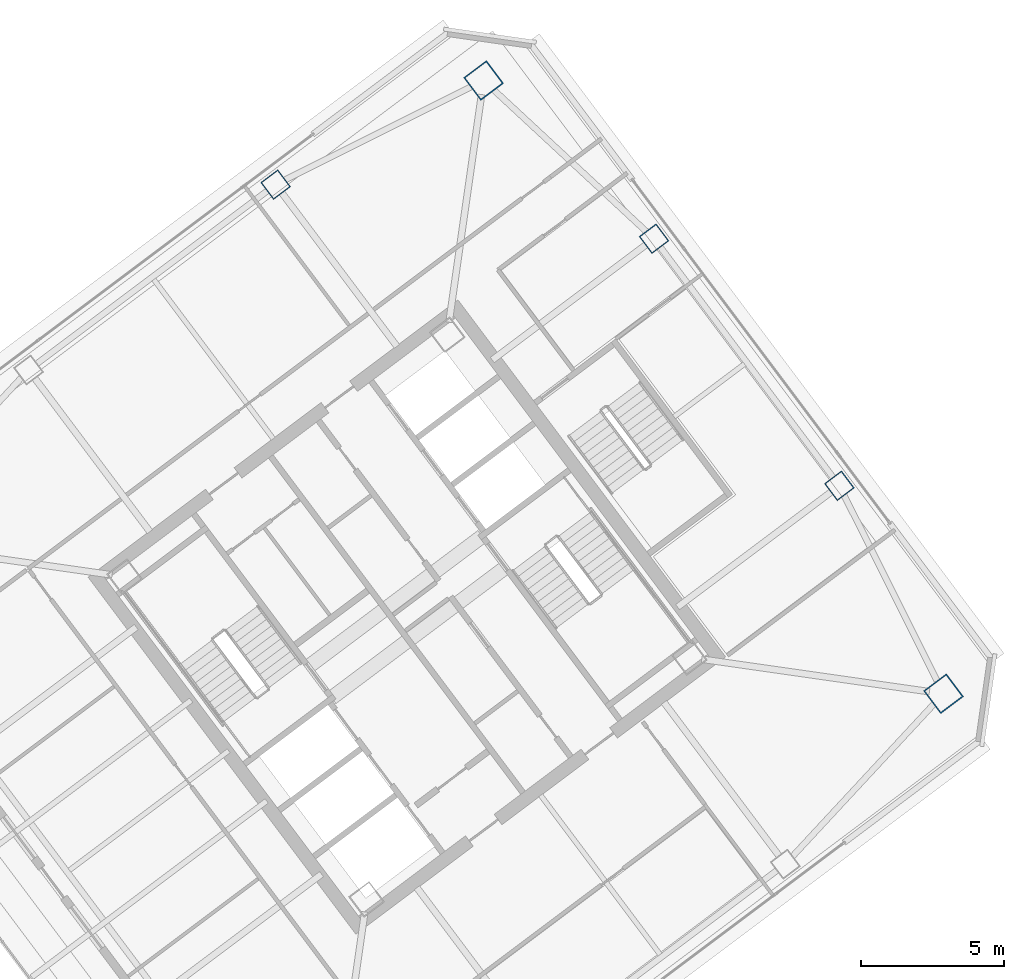
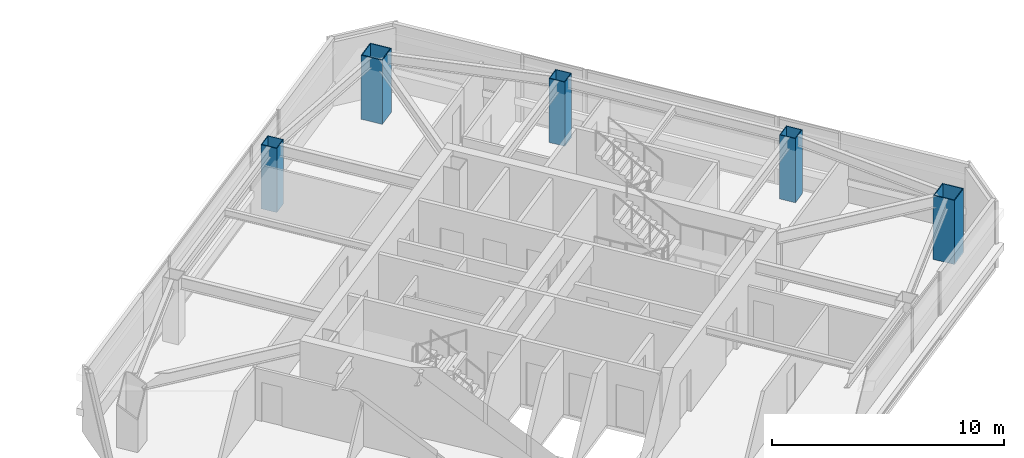
# One storey, part 2 of 39: 5 columns.
"""IFC4 building model written with IfcOpenShell, lengths in metres."""

from ifc_helpers import new_model, si_unit, direction, frame, origin, origin_2d, place, context, subcontext, project, spatial, hollow_rectangle, extrude, material, material_profile, profile_set, type_object, element, save


model = new_model("IFC4")

# Units and contexts
model_context = context("Model", 3, precision=1e-05, world=origin(), true_north=direction((0.0, 1.0)))
body_context = subcontext(model_context, "Body", "Model", "MODEL_VIEW")
ifc_project = project(units=[si_unit("LENGTHUNIT", "METRE"), si_unit("AREAUNIT", "SQUARE_METRE"), si_unit("VOLUMEUNIT", "CUBIC_METRE"), si_unit("PLANEANGLEUNIT", "RADIAN"), si_unit("MASSUNIT", "GRAM", prefix="KILO")], contexts=[model_context])

# Site, building, storey
site_placement = place(None, origin())
site = spatial("IfcSite", under=ifc_project, at=site_placement, CompositionType="ELEMENT")
building_placement = place(site_placement, origin())
building = spatial("IfcBuilding", under=site, at=building_placement, Name="Tashvorn Skyway Center", CompositionType="ELEMENT")
storey_placement = place(building_placement, frame((0.0, 0.0, 225.5)))
storey = spatial("IfcBuildingStorey", under=building, at=storey_placement, Name="L61", CompositionType="ELEMENT", Elevation=225.5)

# Columns
ifc_material = material(Name="Steel ASTM A572 Grade 50", Category="steel")
ifc_material_profile_1 = material_profile(ifc_material, hollow_rectangle(XDim=1.0, YDim=1.0, WallThickness=0.0400390625, at=origin_2d()), Name="BOX1000x1000x40")
ifc_profile_set_1 = profile_set([ifc_material_profile_1], Name="Steel ASTM A572 Grade 50")
column_type_1 = type_object("IfcColumnType", Name="COL-BOX1000x1000x40", PredefinedType="COLUMN", material=ifc_profile_set_1)
for number, where, z_axis, x_axis, name in (
    (1, (132.760009765625, 29.320068359375, 0.0), (0.0, 0.0, 1.0), (0.799999996291, 0.600000004945, 0.0), "Tower 2 L61 Mega-Column MC-SE"),
    (2, (116.679931640625, 50.760009765625, 0.0), (0.0, 0.0, 1.0), (0.799999996291, 0.600000004945, 0.0), "Tower 2 L61 Mega-Column MC-NE"),
):
    element("IfcColumn", number, at=place(storey_placement, frame(where, z_axis=z_axis, x_axis=x_axis)), inside=storey, type_object=column_type_1, Name=name, PredefinedType="COLUMN", context=body_context, shape_type="SweptSolid", body=[
        extrude(hollow_rectangle(XDim=1.0, YDim=1.0, WallThickness=0.0400390625, at=origin_2d()), origin(), (0.0, 0.0, 1.0), 3.3701171875),
    ])
ifc_material_profile_2 = material_profile(ifc_material, hollow_rectangle(XDim=0.75, YDim=0.75, WallThickness=0.031982421875, at=origin_2d()), Name="BOX750x750x32")
ifc_profile_set_2 = profile_set([ifc_material_profile_2], Name="Steel ASTM A572 Grade 50")
column_type_2 = type_object("IfcColumnType", Name="COL-BOX750x750x32", PredefinedType="COLUMN", material=ifc_profile_set_2)
for number, where, z_axis, x_axis, name in (
    (3, (129.1201171875, 36.590087890625, 0.0), (0.0, 0.0, 1.0), (0.799999996291, 0.600000004945, 0.0), "Tower 2 L61 Perimeter Column FC-E1"),
    (4, (122.639892578125, 45.22998046875, 0.0), (0.0, 0.0, 1.0), (0.799999996291, 0.600000004945, 0.0), "Tower 2 L61 Perimeter Column FC-E2"),
    (5, (109.409912109375, 47.1201171875, 0.0), (0.0, 0.0, 1.0), (0.799999996291, 0.600000004945, 0.0), "Tower 2 L61 Perimeter Column FC-N1"),
):
    element("IfcColumn", number, at=place(storey_placement, frame(where, z_axis=z_axis, x_axis=x_axis)), inside=storey, type_object=column_type_2, Name=name, PredefinedType="COLUMN", context=body_context, shape_type="SweptSolid", body=[
        extrude(hollow_rectangle(XDim=0.75, YDim=0.75, WallThickness=0.031982421875, at=origin_2d()), origin(), (0.0, 0.0, 1.0), 3.3701171875),
    ])

save(model, "model.ifc")
